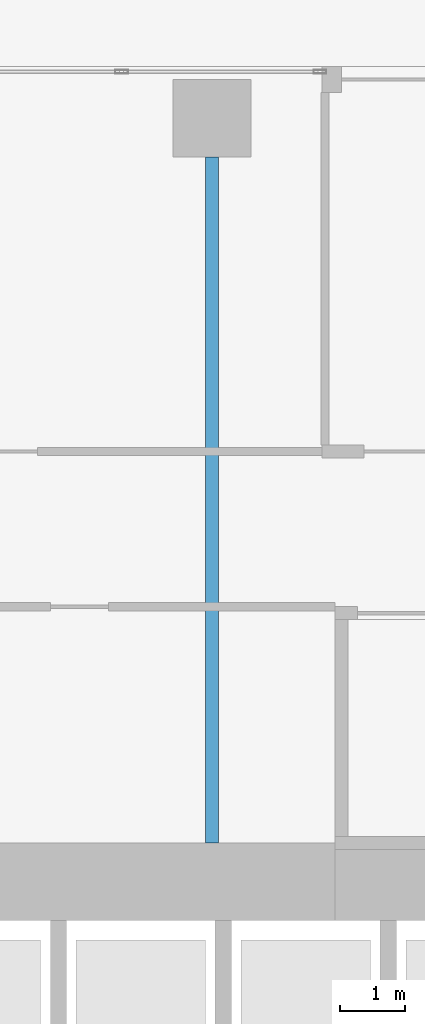
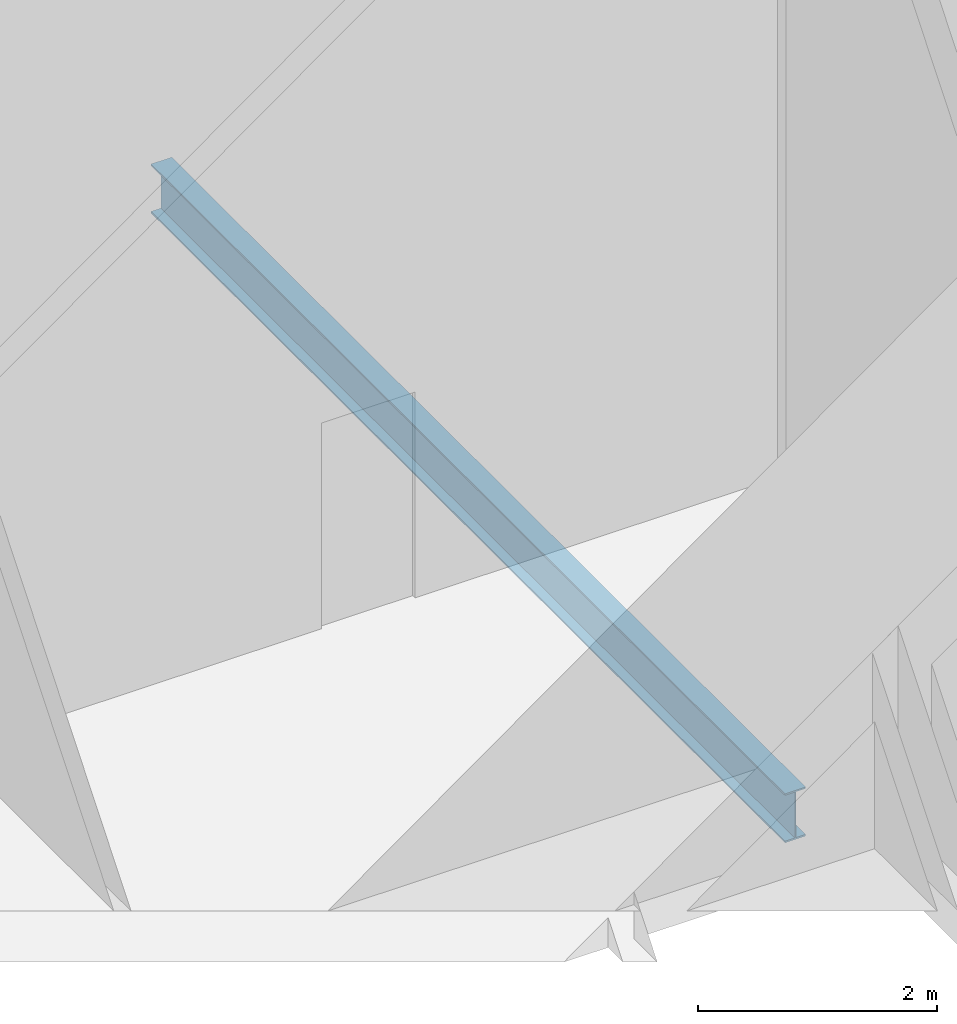
# One storey, part 15 of 52: 1 beam.
"""IFC4 building model written with IfcOpenShell, lengths in metres."""

from ifc_helpers import new_model, si_unit, direction, frame, origin, origin_2d, place, context, subcontext, project, spatial, i_section, extrude, source, transform, mapped, material, material_profile, profile_set, type_object, element, save


model = new_model("IFC4")

# Units and contexts
model_context = context("Model", 3, precision=1e-05, world=origin(), true_north=direction((0.0, 1.0)))
body_context = subcontext(model_context, "Body", "Model", "MODEL_VIEW")
ifc_project = project(units=[si_unit("LENGTHUNIT", "METRE"), si_unit("AREAUNIT", "SQUARE_METRE"), si_unit("VOLUMEUNIT", "CUBIC_METRE"), si_unit("PLANEANGLEUNIT", "RADIAN"), si_unit("MASSUNIT", "GRAM", prefix="KILO")], contexts=[model_context])

# Site, building, storey
site_placement = place(None, origin())
site = spatial("IfcSite", under=ifc_project, at=site_placement, CompositionType="ELEMENT")
building_placement = place(site_placement, origin())
building = spatial("IfcBuilding", under=site, at=building_placement, Name="Khomas Fold Tower", CompositionType="ELEMENT")
storey_placement = place(building_placement, origin())
storey = spatial("IfcBuildingStorey", under=building, at=storey_placement, Name="L00", CompositionType="ELEMENT", Elevation=0.0)

# Beam
ifc_material = material(Name="Steel S355", Category="steel")
ifc_material_profile = material_profile(ifc_material, i_section(OverallWidth=0.199951171875, OverallDepth=0.5, WebThickness=0.01025390625, FlangeThickness=0.01611328125, at=origin_2d()), Name="IPE 500")
ifc_profile_set = profile_set([ifc_material_profile], Name="Steel S355")
beam_type = type_object("IfcBeamType", Name="IPE 500 beam JB5", PredefinedType="BEAM", material=ifc_profile_set)
shared_shape = source(origin(), body_context, "Body", "SweptSolid", [
    extrude(i_section(OverallWidth=0.199951171875, OverallDepth=0.5, WebThickness=0.01025390625, FlangeThickness=0.01611328125, at=origin_2d()), origin(), (0.0, 0.0, 1.0), 10.60009765625),
])
beam_placement = place(storey_placement, frame((12.0, 42.0, -0.60009765625), z_axis=(0.0, 1.0, 0.0), x_axis=(-1.0, 0.0, 0.0)))
element("IfcBeam", 1, at=beam_placement, inside=storey, type_object=beam_type, Name="JB5", PredefinedType="BEAM", context=body_context, shape_type="MappedRepresentation", body=[
    mapped(shared_shape, transform((0.0, 0.0, 0.0))),
])

save(model, "model.ifc")
